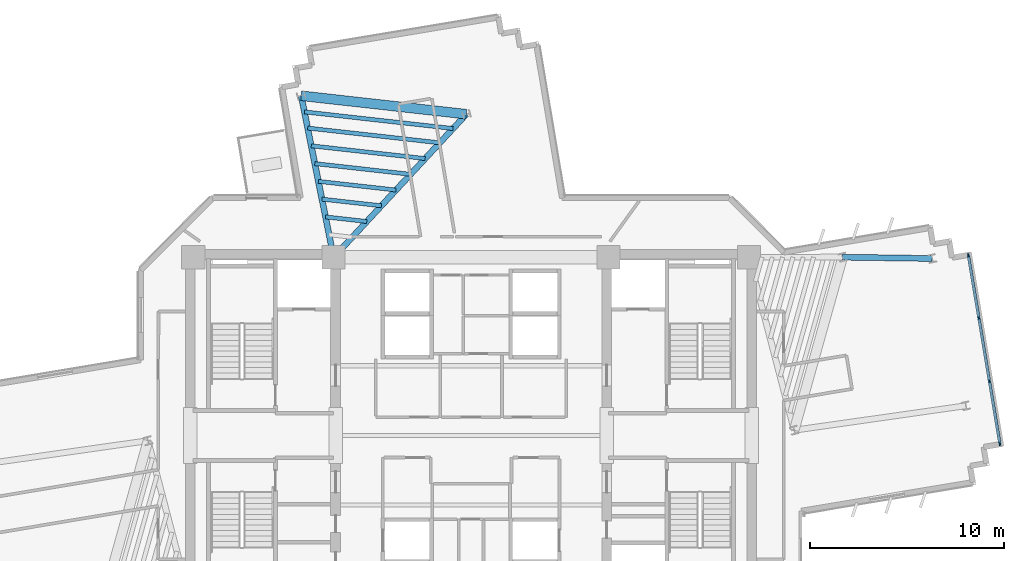
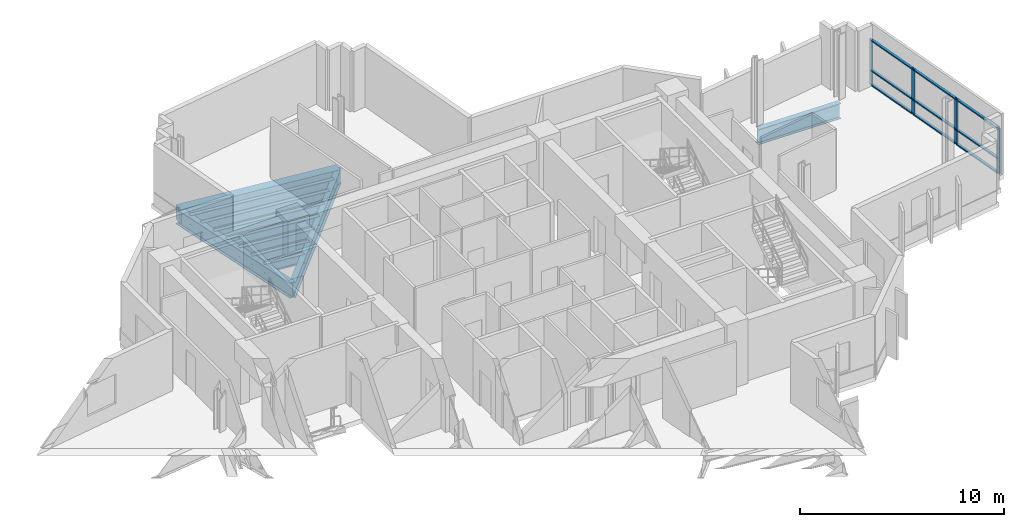
# One storey, part 5 of 15: 13 members, 11 beams, 1 element without a shape of its own.
"""IFC4 building model written with IfcOpenShell, lengths in metres."""

import ifcopenshell
import ifcopenshell.guid

model = None  # the IFC model being written
_history = None  # IfcOwnerHistory: only IFC2X3 demands one
_inside = {}  # id of a spatial element -> (the spatial element, [elements in it])
_under = {}  # id of a project, library or spatial element -> (it, [spatial elements below it])
_declared = {}  # id of a project -> (the project, [libraries it declares])
_typed = {}  # id of a type object -> (the type object, [elements of that type])
_made_of = {}  # id of a material, layer set ... -> (it, [elements and type objects made of it])


def new_model(schema):
    """Start an empty IFC model of exactly this schema.

    Asked for "IFC4X3", IfcOpenShell would pick the latest addendum, in which some entities
    have other attributes; the version numbers below select the first issue.
    IFC2X3 requires an IfcOwnerHistory on every rooted entity: one is made here for all.
    """
    global model, _history
    if schema == "IFC4X3":
        model = ifcopenshell.file(schema_version=(4, 3, 0, 0))
    else:
        model = ifcopenshell.file(schema=schema)
    _inside.clear()
    _under.clear()
    _declared.clear()
    _typed.clear()
    _made_of.clear()
    _history = None
    if model.schema == "IFC2X3":
        org = make("IfcOrganization", Name="unknown")
        user = make(
            "IfcPersonAndOrganization",
            ThePerson=make("IfcPerson", FamilyName="unknown"),
            TheOrganization=org,
        )
        app = make(
            "IfcApplication",
            ApplicationDeveloper=org,
            Version="unknown",
            ApplicationFullName="unknown",
            ApplicationIdentifier="unknown",
        )
        _history = make(
            "IfcOwnerHistory",
            OwningUser=user,
            OwningApplication=app,
            ChangeAction="ADDED",
            CreationDate=0,
        )
    return model


def make(cls, **values):
    """One entity of the class cls with the attributes given. An attribute that is None is left unset."""
    return model.create_entity(
        cls, **{name: value for name, value in values.items() if value is not None}
    )


def rooted(cls, **values):
    """An entity with a GlobalId (a new one), such as an element, a storey or a relation."""
    return make(cls, GlobalId=ifcopenshell.guid.new(), OwnerHistory=_history, **values)


def si_unit(unit_type, name, prefix=None):
    """IfcSIUnit, for example si_unit("LENGTHUNIT", "METRE", prefix="MILLI")."""
    return make("IfcSIUnit", UnitType=unit_type, Prefix=prefix, Name=name)


def assignment(units):
    """IfcUnitAssignment: the units of a project."""
    return None if units is None else make("IfcUnitAssignment", Units=units)


def point(xyz):
    """IfcCartesianPoint."""
    return None if xyz is None else make("IfcCartesianPoint", Coordinates=xyz)


def direction(xyz):
    """IfcDirection."""
    return None if xyz is None else make("IfcDirection", DirectionRatios=xyz)


def frame(location, z_axis=None, x_axis=None):
    """IfcAxis2Placement3D, a coordinate frame: its origin and axes. An axis left out is left unset."""
    return make(
        "IfcAxis2Placement3D",
        Location=point(location),
        Axis=direction(z_axis),
        RefDirection=direction(x_axis),
    )


def frame_2d(location, x_axis=None):
    """IfcAxis2Placement2D, a coordinate frame in the plane: its origin and x axis."""
    return make(
        "IfcAxis2Placement2D", Location=point(location), RefDirection=direction(x_axis)
    )


def origin():
    """The frame at (0, 0, 0) with its axes left unset."""
    return frame((0.0, 0.0, 0.0))


def origin_2d():
    """The frame at (0, 0) in the plane with its x axis left unset."""
    return frame_2d((0.0, 0.0))


def place(relative_to, where):
    """IfcLocalPlacement: puts the frame where relative to a parent placement (None: the world)."""
    return make(
        "IfcLocalPlacement", PlacementRelTo=relative_to, RelativePlacement=where
    )


def context(
    kind, dimensions, precision=None, world=None, true_north=None, identifier=None
):
    """IfcGeometricRepresentationContext, for example the 3D "Model" context."""
    return make(
        "IfcGeometricRepresentationContext",
        ContextIdentifier=identifier,
        ContextType=kind,
        CoordinateSpaceDimension=dimensions,
        Precision=precision,
        WorldCoordinateSystem=world,
        TrueNorth=true_north,
    )


def subcontext(parent, identifier, kind, view, scale=None):
    """IfcGeometricRepresentationSubContext, for example "Body" below "Model"."""
    return make(
        "IfcGeometricRepresentationSubContext",
        ContextIdentifier=identifier,
        ContextType=kind,
        ParentContext=parent,
        TargetScale=scale,
        TargetView=view,
    )


def project(units=None, contexts=None):
    """IfcProject with its units and contexts."""
    return rooted(
        "IfcProject",
        Name="project",
        RepresentationContexts=contexts,
        UnitsInContext=assignment(units),
    )


def spatial(cls, under=None, at=None, **own):
    """A site, building, storey or space (cls), placed at a placement, below another one or the project."""
    s = rooted(cls, ObjectPlacement=at, **own)
    if under is not None:
        _under.setdefault(under.id(), (under, []))[1].append(s)
    return s


def profile(cls, at=None, kind="AREA", **sizes):
    """A parametric profile (cls). Its sizes go by their IFC names, for example OverallWidth=200.0."""
    return make(cls, ProfileType=kind, Position=at, **sizes)


def rectangle(**sizes):
    """IfcRectangleProfileDef."""
    return profile("IfcRectangleProfileDef", **sizes)


def i_section(**sizes):
    """IfcIShapeProfileDef."""
    return profile("IfcIShapeProfileDef", **sizes)


def extrude(swept, where, along, depth):
    """IfcExtrudedAreaSolid: the profile swept, set in the frame where, extruded along a direction by depth."""
    return make(
        "IfcExtrudedAreaSolid",
        SweptArea=swept,
        Position=where,
        ExtrudedDirection=direction(along),
        Depth=depth,
    )


def shape(context_of_items, identifier, shape_type, items):
    """IfcShapeRepresentation: the items that make up one representation, for example the "Body"."""
    return make(
        "IfcShapeRepresentation",
        ContextOfItems=context_of_items,
        RepresentationIdentifier=identifier,
        RepresentationType=shape_type,
        Items=items,
    )


def source(mapping_origin, context_of_items, identifier, shape_type, items):
    """IfcRepresentationMap: a shape defined once, which mapped items show again and again."""
    return make(
        "IfcRepresentationMap",
        MappingOrigin=mapping_origin,
        MappedRepresentation=shape(context_of_items, identifier, shape_type, items),
    )


def transform(
    local_origin,
    x_axis=None,
    y_axis=None,
    z_axis=None,
    scale=None,
    scale2=None,
    scale3=None,
    uniform=True,
):
    """IfcCartesianTransformationOperator3D, or its non-uniform kind. x_axis, y_axis, z_axis: its Axis1, 2, 3."""
    if uniform:
        return make(
            "IfcCartesianTransformationOperator3D",
            Axis1=direction(x_axis),
            Axis2=direction(y_axis),
            LocalOrigin=point(local_origin),
            Scale=scale,
            Axis3=direction(z_axis),
        )
    return make(
        "IfcCartesianTransformationOperator3DnonUniform",
        Axis1=direction(x_axis),
        Axis2=direction(y_axis),
        LocalOrigin=point(local_origin),
        Scale=scale,
        Axis3=direction(z_axis),
        Scale2=scale2,
        Scale3=scale3,
    )


def mapped(mapping_source, mapping_target):
    """IfcMappedItem: shows the shape of a source again, moved by a transform."""
    return make(
        "IfcMappedItem", MappingSource=mapping_source, MappingTarget=mapping_target
    )


def material(Name=None, Category=None):
    """IfcMaterial."""
    return make("IfcMaterial", Name=Name, Category=Category)


def layer(
    of_material, thickness, ventilated=None, Name=None, Category=None, Priority=None
):
    """IfcMaterialLayer: one layer of a wall or slab, of a material (None: an air gap)."""
    return make(
        "IfcMaterialLayer",
        Material=of_material,
        LayerThickness=thickness,
        IsVentilated=ventilated,
        Name=Name,
        Category=Category,
        Priority=Priority,
    )


def layer_set(layers, Name=None):
    """IfcMaterialLayerSet."""
    return make("IfcMaterialLayerSet", MaterialLayers=layers, LayerSetName=Name)


def material_profile(
    of_material, cross_section, Name=None, Category=None, Priority=None
):
    """IfcMaterialProfile: a cross section and its material."""
    return make(
        "IfcMaterialProfile",
        Name=Name,
        Material=of_material,
        Profile=cross_section,
        Priority=Priority,
        Category=Category,
    )


def profile_set(profiles, Name=None, composite=None):
    """IfcMaterialProfileSet."""
    return make(
        "IfcMaterialProfileSet",
        Name=Name,
        MaterialProfiles=profiles,
        CompositeProfile=composite,
    )


def made_of(thing, what):
    """Note that an element or type object is made of a material, layer set ...; save() writes the relation."""
    if what is not None:
        _made_of.setdefault(what.id(), (what, []))[1].append(thing)
    return thing


def type_object(cls, material=None, **own):
    """A type object (cls), such as IfcWallType, which elements share."""
    return made_of(rooted(cls, **own), material)


def element(
    cls,
    number,
    at=None,
    inside=None,
    cuts=None,
    type_object=None,
    material=None,
    context=None,
    identifier="Body",
    shape_type=None,
    held_by="IfcProductDefinitionShape",
    body=None,
    shapes=None,
    **own,
):
    """One element of the class cls, such as IfcWall. Its Tag is "e" and its number.

    at: its placement. inside: the storey or other place that contains it. cuts: it is an
    opening in that element (IfcRelVoidsElement). A single representation is given by context,
    identifier, shape_type and body (its items); several are given by shapes. held_by: the class
    of the entity that holds the representations. save() writes the other relations.
    """
    e = rooted(cls, Tag="e%d" % number, ObjectPlacement=at, **own)
    if body is not None:
        shapes = [shape(context, identifier, shape_type, body)]
    if shapes is not None:
        e.Representation = make(held_by, Representations=shapes)
    if inside is not None:
        _inside.setdefault(inside.id(), (inside, []))[1].append(e)
    if cuts is not None:
        rooted(
            "IfcRelVoidsElement", RelatingBuildingElement=cuts, RelatedOpeningElement=e
        )
    if type_object is not None:
        _typed.setdefault(type_object.id(), (type_object, []))[1].append(e)
    return made_of(e, material)


def aggregate(whole, parts):
    """IfcRelAggregates: a whole, such as a stair, and the parts it consists of."""
    return rooted("IfcRelAggregates", RelatingObject=whole, RelatedObjects=parts)


def save(model, path):
    """Write the relations noted so far, then the file.

    IfcRelAggregates (storeys below a building ...), IfcRelContainedInSpatialStructure (elements
    in a storey), IfcRelDefinesByType, IfcRelAssociatesMaterial and IfcRelDeclares: one each for
    every whole, place, type object, material and project.
    """
    for whole, parts in _under.values():
        aggregate(whole, parts)
    for where, things in _inside.values():
        rooted(
            "IfcRelContainedInSpatialStructure",
            RelatedElements=things,
            RelatingStructure=where,
        )
    for kind, things in _typed.values():
        rooted("IfcRelDefinesByType", RelatedObjects=things, RelatingType=kind)
    for what, things in _made_of.values():
        rooted("IfcRelAssociatesMaterial", RelatedObjects=things, RelatingMaterial=what)
    for by, libraries in _declared.values():
        rooted("IfcRelDeclares", RelatingContext=by, RelatedDefinitions=libraries)
    model.write(path)


model = new_model("IFC4")

# Units and contexts
model_context = context("Model", 3, precision=1e-05, world=origin(), true_north=direction((0.0, 1.0)))
body_context = subcontext(model_context, "Body", "Model", "MODEL_VIEW")
ifc_project = project(units=[si_unit("LENGTHUNIT", "METRE"), si_unit("AREAUNIT", "SQUARE_METRE"), si_unit("VOLUMEUNIT", "CUBIC_METRE"), si_unit("PLANEANGLEUNIT", "RADIAN"), si_unit("MASSUNIT", "GRAM", prefix="KILO")], contexts=[model_context])

# Site, building, storey
site_placement = place(None, origin())
site = spatial("IfcSite", under=ifc_project, at=site_placement, CompositionType="ELEMENT")
building_placement = place(site_placement, origin())
building = spatial("IfcBuilding", under=site, at=building_placement, Name="Zahravan Cultural Tower", CompositionType="ELEMENT")
storey_placement = place(building_placement, frame((0.0, 0.0, 143.39990234375)))
storey = spatial("IfcBuildingStorey", under=building, at=storey_placement, Name="L32", CompositionType="ELEMENT", Elevation=143.39990234375)

# Beams
ifc_material_1 = material(Name="Steel ASTM A992 Grade 50", Category="steel")
ifc_material_profile_1 = material_profile(ifc_material_1, i_section(OverallWidth=0.304931640625, OverallDepth=0.9189453125, WebThickness=0.017333984375, FlangeThickness=0.02783203125, FilletRadius=0.02392578125, at=origin_2d()), Name="W36X170")
ifc_profile_set_1 = profile_set([ifc_material_profile_1], Name="Steel ASTM A992 Grade 50")
beam_type_1 = type_object("IfcBeamType", Name="BM-G-W36X170", PredefinedType="BEAM", material=ifc_profile_set_1)
shared_shape_1 = source(origin(), body_context, "Body", "SweptSolid", [
    extrude(i_section(OverallWidth=0.304931640625, OverallDepth=0.9189453125, WebThickness=0.017333984375, FlangeThickness=0.02783203125, FilletRadius=0.02392578125, at=origin_2d()), origin(), (0.0, 0.0, 1.0), 10.077880859375),
])
beam_1_placement = place(storey_placement, frame((28.89990234375, 36.199951171875, -0.739501953125), z_axis=(0.680170435587, 0.733054007938, 0.0), x_axis=(-0.733054007938, 0.680170435587, 0.0)))
element("IfcBeam", 1, at=beam_1_placement, inside=storey, type_object=beam_type_1, Name="L32 Beam BG-L32-13", PredefinedType="BEAM", context=body_context, shape_type="MappedRepresentation", body=[
    mapped(shared_shape_1, transform((0.0, 0.0, 0.0), x_axis=(1.0, 0.0, 0.0), y_axis=(0.0, 1.0, 0.0), z_axis=(0.0, 0.0, 1.0), scale=1.0)),
])
shared_shape_2 = source(origin(), body_context, "Body", "SweptSolid", [
    extrude(i_section(OverallWidth=0.304931640625, OverallDepth=0.9189453125, WebThickness=0.017333984375, FlangeThickness=0.02783203125, FilletRadius=0.02392578125, at=origin_2d()), origin(), (0.0, 0.0, 1.0), 8.50732421875),
])
beam_2_placement = place(storey_placement, frame((28.89990234375, 36.199951171875, -0.739501953125), z_axis=(-0.196524514012, 0.980498911469, 0.0), x_axis=(-0.980498911469, -0.196524514012, 0.0)))
element("IfcBeam", 2, at=beam_2_placement, inside=storey, type_object=beam_type_1, Name="L32 Beam BG-L32-14", PredefinedType="BEAM", context=body_context, shape_type="MappedRepresentation", body=[
    mapped(shared_shape_2, transform((0.0, 0.0, 0.0), x_axis=(1.0, 0.0, 0.0), y_axis=(0.0, 1.0, 0.0), z_axis=(0.0, 0.0, 1.0), scale=1.0)),
])
shared_shape_3 = source(origin(), body_context, "Body", "SweptSolid", [
    extrude(i_section(OverallWidth=0.304931640625, OverallDepth=0.9189453125, WebThickness=0.017333984375, FlangeThickness=0.02783203125, FilletRadius=0.02392578125, at=origin_2d()), origin(), (0.0, 0.0, 1.0), 4.622314453125),
])
beam_3_placement = place(storey_placement, frame((55.184814453125, 36.2060546875, -0.739501953125), z_axis=(0.999889070044, -0.014894549562, 0.0), x_axis=(0.014894549562, 0.999889070044, 0.0)))
element("IfcBeam", 3, at=beam_3_placement, inside=storey, type_object=beam_type_1, Name="L32 Beam BG-L32-16", PredefinedType="BEAM", context=body_context, shape_type="MappedRepresentation", body=[
    mapped(shared_shape_3, transform((0.0, 0.0, 0.0), x_axis=(1.0, 0.0, 0.0), y_axis=(0.0, 1.0, 0.0), z_axis=(0.0, 0.0, 1.0), scale=1.0)),
])
ifc_material_2 = material(Name="Concrete C50/60", Category="concrete")
ifc_material_profile_2 = material_profile(ifc_material_2, rectangle(XDim=0.5, YDim=0.85009765625, at=origin_2d()), Name="RC500X850")
ifc_profile_set_2 = profile_set([ifc_material_profile_2], Name="Concrete C50/60")
beam_type_2 = type_object("IfcBeamType", Name="BM-SP-RC500X850", PredefinedType="SPANDREL", material=ifc_profile_set_2)
shared_shape_4 = source(origin(), body_context, "Body", "SweptSolid", [
    extrude(rectangle(XDim=0.5, YDim=0.85009765625, at=origin_2d()), origin(), (0.0, 0.0, 1.0), 8.579833984375),
])
beam_4_placement = place(storey_placement, frame((35.754638671875, 43.587646484375, -0.704833984375), z_axis=(-0.9938040105, 0.11114669907, 0.0), x_axis=(-0.11114669907, -0.9938040105, 0.0)))
element("IfcBeam", 4, at=beam_4_placement, inside=storey, type_object=beam_type_2, Name="L32 Beam SP-L32-22", PredefinedType="SPANDREL", context=body_context, shape_type="MappedRepresentation", body=[
    mapped(shared_shape_4, transform((0.0, 0.0, 0.0), x_axis=(1.0, 0.0, 0.0), y_axis=(0.0, 1.0, 0.0), z_axis=(0.0, 0.0, 1.0), scale=1.0)),
])
ifc_material_profile_3 = material_profile(ifc_material_1, i_section(OverallWidth=0.2099609375, OverallDepth=0.532958984375, WebThickness=0.01025390625, FlangeThickness=0.015625, FilletRadius=0.013916015625, at=origin_2d()), Name="W21X62")
ifc_profile_set_3 = profile_set([ifc_material_profile_3], Name="Steel ASTM A992 Grade 50")
beam_type_3 = type_object("IfcBeamType", Name="BM-J-W21X62", PredefinedType="JOIST", material=ifc_profile_set_3)
shared_shape_5 = source(origin(), body_context, "Body", "SweptSolid", [
    extrude(i_section(OverallWidth=0.2099609375, OverallDepth=0.532958984375, WebThickness=0.01025390625, FlangeThickness=0.015625, FilletRadius=0.013916015625, at=origin_2d()), origin(), (0.0, 0.0, 1.0), 2.144775390625),
])
beam_5_placement = place(storey_placement, frame((30.613525390625, 38.046875, -0.54638671875), z_axis=(-0.993797370806, 0.111206051, 0.0), x_axis=(-0.111206051, -0.993797370806, 0.0)))
element("IfcBeam", 5, at=beam_5_placement, inside=storey, type_object=beam_type_3, Name="L32 Beam BJ-L32-51", PredefinedType="JOIST", context=body_context, shape_type="MappedRepresentation", body=[
    mapped(shared_shape_5, transform((0.0, 0.0, 0.0), x_axis=(1.0, 0.0, 0.0), y_axis=(0.0, 1.0, 0.0), z_axis=(0.0, 0.0, 1.0), scale=1.0)),
])
shared_shape_6 = source(origin(), body_context, "Body", "SweptSolid", [
    extrude(i_section(OverallWidth=0.2099609375, OverallDepth=0.532958984375, WebThickness=0.01025390625, FlangeThickness=0.015625, FilletRadius=0.013916015625, at=origin_2d()), origin(), (0.0, 0.0, 1.0), 3.088623046875),
])
beam_6_placement = place(storey_placement, frame((31.36767578125, 38.859619140625, -0.54638671875), z_axis=(-0.993805407368, 0.111134208443, 0.0), x_axis=(-0.111134208443, -0.993805407368, 0.0)))
element("IfcBeam", 6, at=beam_6_placement, inside=storey, type_object=beam_type_3, Name="L32 Beam BJ-L32-52", PredefinedType="JOIST", context=body_context, shape_type="MappedRepresentation", body=[
    mapped(shared_shape_6, transform((0.0, 0.0, 0.0), x_axis=(1.0, 0.0, 0.0), y_axis=(0.0, 1.0, 0.0), z_axis=(0.0, 0.0, 1.0), scale=1.0)),
])
shared_shape_7 = source(origin(), body_context, "Body", "SweptSolid", [
    extrude(i_section(OverallWidth=0.2099609375, OverallDepth=0.532958984375, WebThickness=0.01025390625, FlangeThickness=0.015625, FilletRadius=0.013916015625, at=origin_2d()), origin(), (0.0, 0.0, 1.0), 4.0322265625),
])
beam_7_placement = place(storey_placement, frame((32.12158203125, 39.672119140625, -0.54638671875), z_axis=(-0.993802245601, 0.11116247855, 0.0), x_axis=(-0.11116247855, -0.993802245601, 0.0)))
element("IfcBeam", 7, at=beam_7_placement, inside=storey, type_object=beam_type_3, Name="L32 Beam BJ-L32-53", PredefinedType="JOIST", context=body_context, shape_type="MappedRepresentation", body=[
    mapped(shared_shape_7, transform((0.0, 0.0, 0.0), x_axis=(1.0, 0.0, 0.0), y_axis=(0.0, 1.0, 0.0), z_axis=(0.0, 0.0, 1.0), scale=1.0)),
])
shared_shape_8 = source(origin(), body_context, "Body", "SweptSolid", [
    extrude(i_section(OverallWidth=0.2099609375, OverallDepth=0.532958984375, WebThickness=0.01025390625, FlangeThickness=0.015625, FilletRadius=0.013916015625, at=origin_2d()), origin(), (0.0, 0.0, 1.0), 4.97607421875),
])
beam_8_placement = place(storey_placement, frame((32.875732421875, 40.48486328125, -0.54638671875), z_axis=(-0.993806308517, 0.111126149723, 0.0), x_axis=(-0.111126149723, -0.993806308517, 0.0)))
element("IfcBeam", 8, at=beam_8_placement, inside=storey, type_object=beam_type_3, Name="L32 Beam BJ-L32-54", PredefinedType="JOIST", context=body_context, shape_type="MappedRepresentation", body=[
    mapped(shared_shape_8, transform((0.0, 0.0, 0.0), x_axis=(1.0, 0.0, 0.0), y_axis=(0.0, 1.0, 0.0), z_axis=(0.0, 0.0, 1.0), scale=1.0)),
])
shared_shape_9 = source(origin(), body_context, "Body", "SweptSolid", [
    extrude(i_section(OverallWidth=0.2099609375, OverallDepth=0.532958984375, WebThickness=0.01025390625, FlangeThickness=0.015625, FilletRadius=0.013916015625, at=origin_2d()), origin(), (0.0, 0.0, 1.0), 5.919921875),
])
beam_9_placement = place(storey_placement, frame((33.629638671875, 41.29736328125, -0.54638671875), z_axis=(-0.993804520866, 0.111142135602, 0.0), x_axis=(-0.111142135602, -0.993804520866, 0.0)))
element("IfcBeam", 9, at=beam_9_placement, inside=storey, type_object=beam_type_3, Name="L32 Beam BJ-L32-55", PredefinedType="JOIST", context=body_context, shape_type="MappedRepresentation", body=[
    mapped(shared_shape_9, transform((0.0, 0.0, 0.0), x_axis=(1.0, 0.0, 0.0), y_axis=(0.0, 1.0, 0.0), z_axis=(0.0, 0.0, 1.0), scale=1.0)),
])
shared_shape_10 = source(origin(), body_context, "Body", "SweptSolid", [
    extrude(i_section(OverallWidth=0.2099609375, OverallDepth=0.532958984375, WebThickness=0.01025390625, FlangeThickness=0.015625, FilletRadius=0.013916015625, at=origin_2d()), origin(), (0.0, 0.0, 1.0), 6.86376953125),
])
beam_10_placement = place(storey_placement, frame((34.3837890625, 42.110107421875, -0.54638671875), z_axis=(-0.993803224695, 0.111153725024, 0.0), x_axis=(-0.111153725024, -0.993803224695, 0.0)))
element("IfcBeam", 10, at=beam_10_placement, inside=storey, type_object=beam_type_3, Name="L32 Beam BJ-L32-56", PredefinedType="JOIST", context=body_context, shape_type="MappedRepresentation", body=[
    mapped(shared_shape_10, transform((0.0, 0.0, 0.0), x_axis=(1.0, 0.0, 0.0), y_axis=(0.0, 1.0, 0.0), z_axis=(0.0, 0.0, 1.0), scale=1.0)),
])
shared_shape_11 = source(origin(), body_context, "Body", "SweptSolid", [
    extrude(i_section(OverallWidth=0.2099609375, OverallDepth=0.532958984375, WebThickness=0.01025390625, FlangeThickness=0.015625, FilletRadius=0.013916015625, at=origin_2d()), origin(), (0.0, 0.0, 1.0), 7.7216796875),
])
beam_11_placement = place(storey_placement, frame((35.069091796875, 42.848876953125, -0.54638671875), z_axis=(-0.993805212115, 0.11113595446, 0.0), x_axis=(-0.11113595446, -0.993805212115, 0.0)))
element("IfcBeam", 11, at=beam_11_placement, inside=storey, type_object=beam_type_3, Name="L32 Beam BJ-L32-57", PredefinedType="JOIST", context=body_context, shape_type="MappedRepresentation", body=[
    mapped(shared_shape_11, transform((0.0, 0.0, 0.0), x_axis=(1.0, 0.0, 0.0), y_axis=(0.0, 1.0, 0.0), z_axis=(0.0, 0.0, 1.0), scale=1.0)),
])

# Curtain wall, members
ifc_material_3 = material(Name="Anodised bronze-aluminium mullion", Category="aluminium")
ifc_layer = layer(ifc_material_3, 0.199951171875)
ifc_layer_set = layer_set([ifc_layer], Name="Anodised bronze-aluminium mullion")
curtain_wall_type = type_object("IfcCurtainWallType", Name="CW-SYS-2", PredefinedType="USERDEFINED", material=ifc_layer_set)
curtain_wall_placement = place(storey_placement, origin())
curtain_wall = element("IfcCurtainWall", 12, at=curtain_wall_placement, inside=storey, type_object=curtain_wall_type, Name="L32 Recessed Curtain Wall CW-2.1", ObjectType="RECESSED GLAZING", PredefinedType="USERDEFINED")
ifc_material_profile_4 = material_profile(ifc_material_3, rectangle(XDim=0.14990234375, YDim=0.074951171875, at=origin_2d()), Name="AL-T75X150")
ifc_profile_set_4 = profile_set([ifc_material_profile_4], Name="Anodised bronze-aluminium mullion")
member_type_1 = type_object("IfcMemberType", Name="CWT-CW-2", PredefinedType="USERDEFINED", material=ifc_profile_set_4)
shared_shape_12 = source(origin(), body_context, "Body", "SweptSolid", [
    extrude(rectangle(XDim=0.14990234375, YDim=0.074951171875, at=origin_2d()), origin(), (0.0, 0.0, 1.0), 3.1943359375),
])
member_1_placement = place(storey_placement, frame((61.685302734375, 36.251220703125, 0.03759765625), z_axis=(0.165093031422, -0.98627799883, 0.0), x_axis=(0.98627799883, 0.165093031422, 0.0)))
member_1 = element("IfcMember", 13, at=member_1_placement, type_object=member_type_1, Name="CW-2 transom 1.1", ObjectType="TRANSOM", PredefinedType="USERDEFINED", context=body_context, shape_type="MappedRepresentation", body=[
    mapped(shared_shape_12, transform((0.0, 0.0, 0.0), x_axis=(1.0, 0.0, 0.0), y_axis=(0.0, 1.0, 0.0), z_axis=(0.0, 0.0, 1.0), scale=1.0)),
])
member_2_placement = place(storey_placement, frame((61.685302734375, 36.251220703125, 0.900146484375), z_axis=(0.165093031422, -0.98627799883, 0.0), x_axis=(0.98627799883, 0.165093031422, 0.0)))
member_2 = element("IfcMember", 14, at=member_2_placement, type_object=member_type_1, Name="CW-2 transom 1.2", ObjectType="TRANSOM", PredefinedType="USERDEFINED", context=body_context, shape_type="MappedRepresentation", body=[
    mapped(shared_shape_12, transform((0.0, 0.0, 0.0), x_axis=(1.0, 0.0, 0.0), y_axis=(0.0, 1.0, 0.0), z_axis=(0.0, 0.0, 1.0), scale=1.0)),
])
member_3_placement = place(storey_placement, frame((61.685302734375, 36.251220703125, 2.70263671875), z_axis=(0.165093031422, -0.98627799883, 0.0), x_axis=(0.98627799883, 0.165093031422, 0.0)))
member_3 = element("IfcMember", 15, at=member_3_placement, type_object=member_type_1, Name="CW-2 transom 1.3", ObjectType="TRANSOM", PredefinedType="USERDEFINED", context=body_context, shape_type="MappedRepresentation", body=[
    mapped(shared_shape_12, transform((0.0, 0.0, 0.0), x_axis=(1.0, 0.0, 0.0), y_axis=(0.0, 1.0, 0.0), z_axis=(0.0, 0.0, 1.0), scale=1.0)),
])
shared_shape_13 = source(origin(), body_context, "Body", "SweptSolid", [
    extrude(rectangle(XDim=0.14990234375, YDim=0.074951171875, at=origin_2d()), origin(), (0.0, 0.0, 1.0), 3.231689453125),
])
member_4_placement = place(storey_placement, frame((62.224853515625, 33.02685546875, 0.03759765625), z_axis=(0.165072756974, -0.986281392355, 0.0), x_axis=(0.986281392355, 0.165072756974, 0.0)))
member_4 = element("IfcMember", 16, at=member_4_placement, type_object=member_type_1, Name="CW-2 transom 2.1", ObjectType="TRANSOM", PredefinedType="USERDEFINED", context=body_context, shape_type="MappedRepresentation", body=[
    mapped(shared_shape_13, transform((0.0, 0.0, 0.0), x_axis=(1.0, 0.0, 0.0), y_axis=(0.0, 1.0, 0.0), z_axis=(0.0, 0.0, 1.0), scale=1.0)),
])
member_5_placement = place(storey_placement, frame((62.224853515625, 33.02685546875, 0.900146484375), z_axis=(0.165072756974, -0.986281392355, 0.0), x_axis=(0.986281392355, 0.165072756974, 0.0)))
member_5 = element("IfcMember", 17, at=member_5_placement, type_object=member_type_1, Name="CW-2 transom 2.2", ObjectType="TRANSOM", PredefinedType="USERDEFINED", context=body_context, shape_type="MappedRepresentation", body=[
    mapped(shared_shape_13, transform((0.0, 0.0, 0.0), x_axis=(1.0, 0.0, 0.0), y_axis=(0.0, 1.0, 0.0), z_axis=(0.0, 0.0, 1.0), scale=1.0)),
])
member_6_placement = place(storey_placement, frame((62.224853515625, 33.02685546875, 2.70263671875), z_axis=(0.165072756974, -0.986281392355, 0.0), x_axis=(0.986281392355, 0.165072756974, 0.0)))
member_6 = element("IfcMember", 18, at=member_6_placement, type_object=member_type_1, Name="CW-2 transom 2.3", ObjectType="TRANSOM", PredefinedType="USERDEFINED", context=body_context, shape_type="MappedRepresentation", body=[
    mapped(shared_shape_13, transform((0.0, 0.0, 0.0), x_axis=(1.0, 0.0, 0.0), y_axis=(0.0, 1.0, 0.0), z_axis=(0.0, 0.0, 1.0), scale=1.0)),
])
ifc_material_profile_5 = material_profile(ifc_material_3, rectangle(XDim=0.074951171875, YDim=0.199951171875, at=origin_2d()), Name="AL-M75X200")
ifc_profile_set_5 = profile_set([ifc_material_profile_5], Name="Anodised bronze-aluminium mullion")
member_type_2 = type_object("IfcMemberType", Name="CWM-CW-2", PredefinedType="MULLION", material=ifc_profile_set_5)
shared_shape_14 = source(origin(), body_context, "Body", "SweptSolid", [
    extrude(rectangle(XDim=0.074951171875, YDim=0.199951171875, at=origin_2d()), origin(), (0.0, 0.0, 1.0), 2.739990234375),
])
member_7_placement = place(storey_placement, frame((61.67919921875, 36.2880859375, 0.0), z_axis=(0.0, 0.0, 1.0), x_axis=(0.986285000163, 0.165051199491, 0.0)))
member_7 = element("IfcMember", 19, at=member_7_placement, type_object=member_type_2, Name="CW-2 mullion 1", PredefinedType="MULLION", context=body_context, shape_type="MappedRepresentation", body=[
    mapped(shared_shape_14, transform((0.0, 0.0, 0.0), x_axis=(1.0, 0.0, 0.0), y_axis=(0.0, 1.0, 0.0), z_axis=(0.0, 0.0, 1.0), scale=1.0)),
])
member_8_placement = place(storey_placement, frame((62.21875, 33.063720703125, 0.0), z_axis=(0.0, 0.0, 1.0), x_axis=(0.986285000163, 0.165051199491, 0.0)))
member_8 = element("IfcMember", 20, at=member_8_placement, type_object=member_type_2, Name="CW-2 mullion 2", PredefinedType="MULLION", context=body_context, shape_type="MappedRepresentation", body=[
    mapped(shared_shape_14, transform((0.0, 0.0, 0.0), x_axis=(1.0, 0.0, 0.0), y_axis=(0.0, 1.0, 0.0), z_axis=(0.0, 0.0, 1.0), scale=1.0)),
])
member_9_placement = place(storey_placement, frame((62.7646484375, 29.802490234375, 0.0), z_axis=(0.0, 0.0, 1.0), x_axis=(0.986285000163, 0.165051199491, 0.0)))
member_9 = element("IfcMember", 21, at=member_9_placement, type_object=member_type_2, Name="CW-2 mullion 3", PredefinedType="MULLION", context=body_context, shape_type="MappedRepresentation", body=[
    mapped(shared_shape_14, transform((0.0, 0.0, 0.0), x_axis=(1.0, 0.0, 0.0), y_axis=(0.0, 1.0, 0.0), z_axis=(0.0, 0.0, 1.0), scale=1.0)),
])
member_10_placement = place(storey_placement, frame((63.30419921875, 26.578125, 0.0), z_axis=(0.0, 0.0, 1.0), x_axis=(0.986285000163, 0.165051199491, 0.0)))
member_10 = element("IfcMember", 22, at=member_10_placement, type_object=member_type_2, Name="CW-2 mullion 4", PredefinedType="MULLION", context=body_context, shape_type="MappedRepresentation", body=[
    mapped(shared_shape_14, transform((0.0, 0.0, 0.0), x_axis=(1.0, 0.0, 0.0), y_axis=(0.0, 1.0, 0.0), z_axis=(0.0, 0.0, 1.0), scale=1.0)),
])
shared_shape_15 = source(origin(), body_context, "Body", "SweptSolid", [
    extrude(rectangle(XDim=0.14990234375, YDim=0.074951171875, at=origin_2d()), origin(), (0.0, 0.0, 1.0), 3.194091796875),
])
member_11_placement = place(storey_placement, frame((62.770751953125, 29.765625, 0.03759765625), z_axis=(0.165018681263, -0.986290441419, 0.0), x_axis=(0.986290441419, 0.165018681263, 0.0)))
member_11 = element("IfcMember", 23, at=member_11_placement, type_object=member_type_1, Name="CW-2 transom 3.1", ObjectType="TRANSOM", PredefinedType="USERDEFINED", context=body_context, shape_type="MappedRepresentation", body=[
    mapped(shared_shape_15, transform((0.0, 0.0, 0.0), x_axis=(1.0, 0.0, 0.0), y_axis=(0.0, 1.0, 0.0), z_axis=(0.0, 0.0, 1.0), scale=1.0)),
])
member_12_placement = place(storey_placement, frame((62.770751953125, 29.765625, 0.900146484375), z_axis=(0.165018681263, -0.986290441419, 0.0), x_axis=(0.986290441419, 0.165018681263, 0.0)))
member_12 = element("IfcMember", 24, at=member_12_placement, type_object=member_type_1, Name="CW-2 transom 3.2", ObjectType="TRANSOM", PredefinedType="USERDEFINED", context=body_context, shape_type="MappedRepresentation", body=[
    mapped(shared_shape_15, transform((0.0, 0.0, 0.0), x_axis=(1.0, 0.0, 0.0), y_axis=(0.0, 1.0, 0.0), z_axis=(0.0, 0.0, 1.0), scale=1.0)),
])
member_13_placement = place(storey_placement, frame((62.770751953125, 29.765625, 2.70263671875), z_axis=(0.165018681263, -0.986290441419, 0.0), x_axis=(0.986290441419, 0.165018681263, 0.0)))
member_13 = element("IfcMember", 25, at=member_13_placement, type_object=member_type_1, Name="CW-2 transom 3.3", ObjectType="TRANSOM", PredefinedType="USERDEFINED", context=body_context, shape_type="MappedRepresentation", body=[
    mapped(shared_shape_15, transform((0.0, 0.0, 0.0), x_axis=(1.0, 0.0, 0.0), y_axis=(0.0, 1.0, 0.0), z_axis=(0.0, 0.0, 1.0), scale=1.0)),
])
aggregate(curtain_wall, [member_7, member_8, member_9, member_10, member_1, member_2, member_3, member_4, member_5, member_6, member_11, member_12, member_13])

save(model, "model.ifc")
